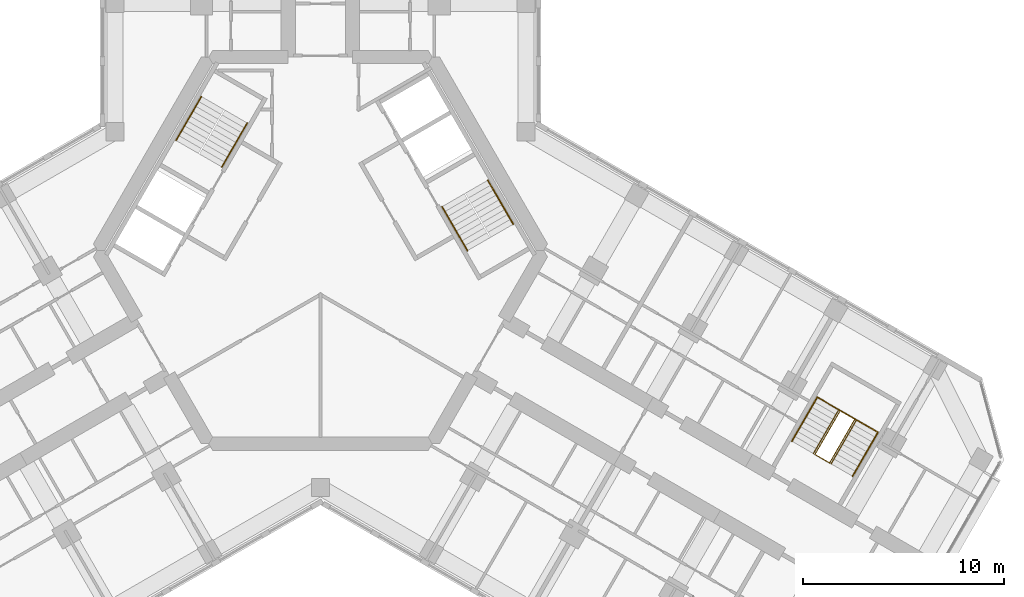
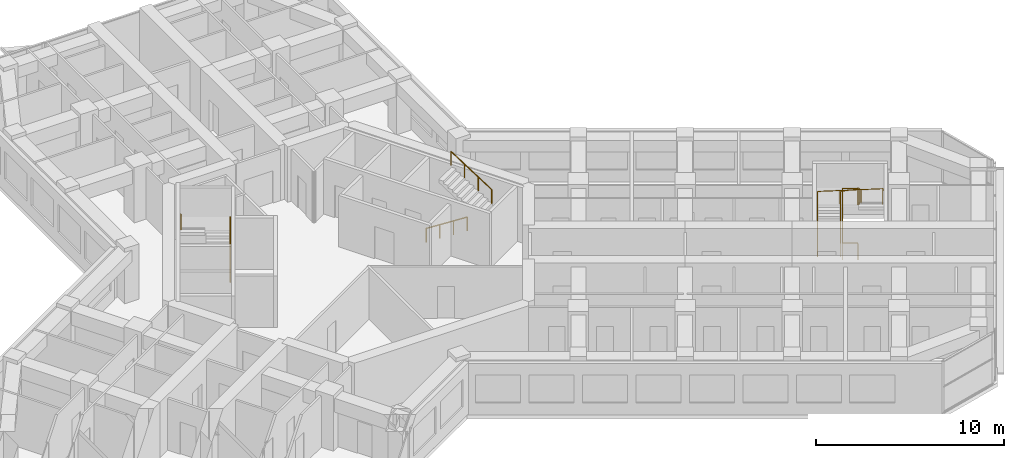
# One storey, part 16 of 16: 7 railings.
"""IFC4 building model written with IfcOpenShell, lengths in metres."""

from ifc_helpers import new_model, si_unit, direction, frame, origin, origin_2d, place, context, subcontext, project, spatial, circle, extrude, material, type_object, element, save


model = new_model("IFC4")

# Units and contexts
model_context = context("Model", 3, precision=1e-05, world=origin(), true_north=direction((0.0, 1.0)))
body_context = subcontext(model_context, "Body", "Model", "MODEL_VIEW")
ifc_project = project(units=[si_unit("LENGTHUNIT", "METRE"), si_unit("AREAUNIT", "SQUARE_METRE"), si_unit("VOLUMEUNIT", "CUBIC_METRE"), si_unit("PLANEANGLEUNIT", "RADIAN"), si_unit("MASSUNIT", "GRAM", prefix="KILO")], contexts=[model_context])

# Site, building, storey
site_placement = place(None, origin())
site = spatial("IfcSite", under=ifc_project, at=site_placement, CompositionType="ELEMENT")
building_placement = place(site_placement, origin())
building = spatial("IfcBuilding", under=site, at=building_placement, Name="Kosmar Iwan School Tower", CompositionType="ELEMENT")
storey_placement = place(building_placement, frame((0.0, 0.0, 201.0)))
storey = spatial("IfcBuildingStorey", under=building, at=storey_placement, Name="L50", CompositionType="ELEMENT", Elevation=201.0)

# Railings
ifc_material_1 = material(Name="Black steel", Category="steel")
railing_type_1 = type_object("IfcRailingType", Name="Stair handrail 900", PredefinedType="HANDRAIL", material=ifc_material_1)
railing_1_placement = place(storey_placement, frame((-4.89453125, 4.142333984375, 0.179931640625)))
element("IfcRailing", 1, at=railing_1_placement, inside=storey, type_object=railing_type_1, Name="Handrail ST2 flight 1", PredefinedType="HANDRAIL", context=body_context, shape_type="SweptSolid", body=[
    extrude(circle(Radius=0.02392578125, at=origin_2d()), frame((0.0, 0.0, 0.8759765625), z_axis=(0.420584145978, 0.728463801763, 0.540785970299), x_axis=(-0.866022637375, 0.500004791531, 0.0)), (0.0, 0.0, 1.0), 2.995849609375),
    extrude(circle(Radius=0.02099609375, at=origin_2d()), origin(), (0.0, 0.0, 1.0), 0.851806640625),
    extrude(circle(Radius=0.02099609375, at=origin_2d()), frame((0.419921875, 0.7275390625, 0.5400390625)), (0.0, 0.0, 1.0), 0.851806640625),
    extrude(circle(Radius=0.02099609375, at=origin_2d()), frame((0.840087890625, 1.454833984375, 1.080078125)), (0.0, 0.0, 1.0), 0.851806640625),
    extrude(circle(Radius=0.02099609375, at=origin_2d()), frame((1.260009765625, 2.182373046875, 1.6201171875)), (0.0, 0.0, 1.0), 0.851806640625),
])
railing_2_placement = place(storey_placement, frame((-5.912353515625, 7.6396484375, 1.97998046875)))
element("IfcRailing", 2, at=railing_2_placement, inside=storey, type_object=railing_type_1, Name="Handrail ST2 flight 2", PredefinedType="HANDRAIL", context=body_context, shape_type="SweptSolid", body=[
    extrude(circle(Radius=0.02392578125, at=origin_2d()), frame((0.0, 0.0, 0.8759765625), z_axis=(-0.420584145978, -0.728463801763, 0.540785970299), x_axis=(0.866022637375, -0.500004791531, 0.0)), (0.0, 0.0, 1.0), 2.995849609375),
    extrude(circle(Radius=0.02099609375, at=origin_2d()), origin(), (0.0, 0.0, 1.0), 0.851806640625),
    extrude(circle(Radius=0.02099609375, at=origin_2d()), frame((-0.419921875, -0.7275390625, 0.5400390625)), (0.0, 0.0, 1.0), 0.851806640625),
    extrude(circle(Radius=0.02099609375, at=origin_2d()), frame((-0.840087890625, -1.454833984375, 1.080078125)), (0.0, 0.0, 1.0), 0.851806640625),
    extrude(circle(Radius=0.02099609375, at=origin_2d()), frame((-1.260009765625, -2.182373046875, 1.6201171875)), (0.0, 0.0, 1.0), 0.851806640625),
])
railing_3_placement = place(storey_placement, frame((6.03466796875, 2.167724609375, 0.179931640625)))
element("IfcRailing", 3, at=railing_3_placement, inside=storey, type_object=railing_type_1, Name="Handrail ST1 flight 1", PredefinedType="HANDRAIL", context=body_context, shape_type="SweptSolid", body=[
    extrude(circle(Radius=0.02392578125, at=origin_2d()), frame((0.0, 0.0, 0.8759765625), z_axis=(0.420584145978, -0.728463801763, 0.540785970299), x_axis=(0.866022637375, 0.500004791531, 0.0)), (0.0, 0.0, 1.0), 2.995849609375),
    extrude(circle(Radius=0.02099609375, at=origin_2d()), origin(), (0.0, 0.0, 1.0), 0.851806640625),
    extrude(circle(Radius=0.02099609375, at=origin_2d()), frame((0.419921875, -0.7275390625, 0.5400390625)), (0.0, 0.0, 1.0), 0.851806640625),
    extrude(circle(Radius=0.02099609375, at=origin_2d()), frame((0.840087890625, -1.454833984375, 1.080078125)), (0.0, 0.0, 1.0), 0.851806640625),
    extrude(circle(Radius=0.02099609375, at=origin_2d()), frame((1.260009765625, -2.182373046875, 1.6201171875)), (0.0, 0.0, 1.0), 0.851806640625),
])
railing_4_placement = place(storey_placement, frame((9.572265625, 1.30029296875, 1.97998046875)))
element("IfcRailing", 4, at=railing_4_placement, inside=storey, type_object=railing_type_1, Name="Handrail ST1 flight 2", PredefinedType="HANDRAIL", context=body_context, shape_type="SweptSolid", body=[
    extrude(circle(Radius=0.02392578125, at=origin_2d()), frame((0.0, 0.0, 0.8759765625), z_axis=(-0.420584145978, 0.728463801763, 0.540785970299), x_axis=(-0.866022637375, -0.500004791531, 0.0)), (0.0, 0.0, 1.0), 2.995849609375),
    extrude(circle(Radius=0.02099609375, at=origin_2d()), origin(), (0.0, 0.0, 1.0), 0.851806640625),
    extrude(circle(Radius=0.02099609375, at=origin_2d()), frame((-0.419921875, 0.7275390625, 0.5400390625)), (0.0, 0.0, 1.0), 0.851806640625),
    extrude(circle(Radius=0.02099609375, at=origin_2d()), frame((-0.840087890625, 1.454833984375, 1.080078125)), (0.0, 0.0, 1.0), 0.851806640625),
    extrude(circle(Radius=0.02099609375, at=origin_2d()), frame((-1.260009765625, 2.182373046875, 1.6201171875)), (0.0, 0.0, 1.0), 0.851806640625),
])
railing_5_placement = place(storey_placement, frame((23.4091796875, -9.473876953125, 0.179931640625)))
element("IfcRailing", 5, at=railing_5_placement, inside=storey, type_object=railing_type_1, Name="Handrail stair WS3 L50 wall side", PredefinedType="HANDRAIL", context=body_context, shape_type="SweptSolid", body=[
    extrude(circle(Radius=0.02392578125, at=origin_2d()), frame((0.0, 0.0, 0.8759765625), z_axis=(0.420584145978, 0.728463801763, 0.540785970299), x_axis=(-0.866022637375, 0.500004791531, 0.0)), (0.0, 0.0, 1.0), 2.995849609375),
    extrude(circle(Radius=0.02392578125, at=origin_2d()), frame((1.260009765625, 2.182373046875, 2.49609375), z_axis=(0.864882007433, -0.499312601618, 0.051633701051), x_axis=(0.499979528911, 0.866037222451, 0.0)), (0.0, 0.0, 1.0), 3.48486328125),
    extrude(circle(Radius=0.02392578125, at=origin_2d()), frame((4.27392578125, 0.4423828125, 2.67578125), z_axis=(-0.420584145978, -0.728463801763, 0.540785970299), x_axis=(0.866022637375, -0.500004791531, 0.0)), (0.0, 0.0, 1.0), 2.995849609375),
    extrude(circle(Radius=0.02099609375, at=origin_2d()), origin(), (0.0, 0.0, 1.0), 0.851806640625),
    extrude(circle(Radius=0.02099609375, at=origin_2d()), frame((0.419921875, 0.7275390625, 0.5400390625)), (0.0, 0.0, 1.0), 0.851806640625),
    extrude(circle(Radius=0.02099609375, at=origin_2d()), frame((0.840087890625, 1.454833984375, 1.080078125)), (0.0, 0.0, 1.0), 0.851806640625),
    extrude(circle(Radius=0.02099609375, at=origin_2d()), frame((1.260009765625, 2.182373046875, 1.6201171875)), (0.0, 0.0, 1.0), 0.851806640625),
    extrude(circle(Radius=0.02099609375, at=origin_2d()), frame((2.2646484375, 1.602294921875, 1.68017578125)), (0.0, 0.0, 1.0), 0.851806640625),
    extrude(circle(Radius=0.02099609375, at=origin_2d()), frame((3.269287109375, 1.0224609375, 1.739990234375)), (0.0, 0.0, 1.0), 0.851806640625),
    extrude(circle(Radius=0.02099609375, at=origin_2d()), frame((4.27392578125, 0.4423828125, 1.800048828125)), (0.0, 0.0, 1.0), 0.851806640625),
    extrude(circle(Radius=0.02099609375, at=origin_2d()), frame((3.85400390625, -0.28515625, 2.340087890625)), (0.0, 0.0, 1.0), 0.851806640625),
    extrude(circle(Radius=0.02099609375, at=origin_2d()), frame((3.433837890625, -1.012451171875, 2.880126953125)), (0.0, 0.0, 1.0), 0.851806640625),
    extrude(circle(Radius=0.02099609375, at=origin_2d()), frame((3.013916015625, -1.739990234375, 3.420166015625)), (0.0, 0.0, 1.0), 0.851806640625),
])
railing_6_placement = place(storey_placement, frame((24.474609375, -10.0888671875, 0.179931640625)))
element("IfcRailing", 6, at=railing_6_placement, inside=storey, type_object=railing_type_1, Name="Handrail stair WS3 L50 well side", PredefinedType="HANDRAIL", context=body_context, shape_type="SweptSolid", body=[
    extrude(circle(Radius=0.02392578125, at=origin_2d()), frame((0.0, 0.0, 0.8759765625), z_axis=(0.420584145978, 0.728463801763, 0.540785970299), x_axis=(-0.866022637375, 0.500004791531, 0.0)), (0.0, 0.0, 1.0), 2.995849609375),
    extrude(circle(Radius=0.02392578125, at=origin_2d()), frame((1.260009765625, 2.182373046875, 2.49609375), z_axis=(0.852841519511, -0.492422867401, 0.173726976197), x_axis=(0.500026340207, 0.866010195725, 0.0)), (0.0, 0.0, 1.0), 1.03564453125),
    extrude(circle(Radius=0.02392578125, at=origin_2d()), frame((2.143310546875, 1.67236328125, 2.67578125), z_axis=(-0.420584145978, -0.728463801763, 0.540785970299), x_axis=(0.866022637375, -0.500004791531, 0.0)), (0.0, 0.0, 1.0), 2.995849609375),
    extrude(circle(Radius=0.02099609375, at=origin_2d()), origin(), (0.0, 0.0, 1.0), 0.851806640625),
    extrude(circle(Radius=0.02099609375, at=origin_2d()), frame((0.419921875, 0.7275390625, 0.5400390625)), (0.0, 0.0, 1.0), 0.851806640625),
    extrude(circle(Radius=0.02099609375, at=origin_2d()), frame((0.840087890625, 1.454833984375, 1.080078125)), (0.0, 0.0, 1.0), 0.851806640625),
    extrude(circle(Radius=0.02099609375, at=origin_2d()), frame((1.260009765625, 2.182373046875, 1.6201171875)), (0.0, 0.0, 1.0), 0.851806640625),
    extrude(circle(Radius=0.02099609375, at=origin_2d()), frame((2.143310546875, 1.67236328125, 1.800048828125)), (0.0, 0.0, 1.0), 0.851806640625),
    extrude(circle(Radius=0.02099609375, at=origin_2d()), frame((1.723388671875, 0.94482421875, 2.340087890625)), (0.0, 0.0, 1.0), 0.851806640625),
    extrude(circle(Radius=0.02099609375, at=origin_2d()), frame((1.30322265625, 0.217529296875, 2.880126953125)), (0.0, 0.0, 1.0), 0.851806640625),
    extrude(circle(Radius=0.02099609375, at=origin_2d()), frame((0.88330078125, -0.510009765625, 3.420166015625)), (0.0, 0.0, 1.0), 0.851806640625),
])
ifc_material_2 = material(Name="Black steel", Category="steel")
railing_type_2 = type_object("IfcRailingType", Name="Stair well guard 1100", PredefinedType="GUARDRAIL", material=ifc_material_2)
railing_7_placement = place(storey_placement, frame((25.280029296875, -10.553955078125, 0.0)))
element("IfcRailing", 7, at=railing_7_placement, inside=storey, type_object=railing_type_2, Name="Stair WS3 L50 well guard", PredefinedType="GUARDRAIL", context=body_context, shape_type="SweptSolid", body=[
    extrude(circle(Radius=0.02392578125, at=origin_2d()), frame((0.0, 0.0, 1.076171875), z_axis=(-0.865962960534, 0.500108139288, 0.0), x_axis=(-0.500108139288, -0.865962960534, 0.0)), (0.0, 0.0, 1.0), 0.840087890625),
    extrude(circle(Radius=0.02392578125, at=origin_2d()), frame((-0.7275390625, 0.420166015625, 1.076171875), z_axis=(0.40686665399, 0.704704712268, 0.58124933925), x_axis=(-0.866022637375, 0.500004791531, 0.0)), (0.0, 0.0, 1.0), 3.096923828125),
    extrude(circle(Radius=0.02392578125, at=origin_2d()), frame((0.532470703125, 2.6025390625, 2.8759765625), z_axis=(0.865890253765, -0.500234013672, 0.0), x_axis=(0.500234013672, 0.865890253765, 0.0)), (0.0, 0.0, 1.0), 0.83984375),
    extrude(circle(Radius=0.02392578125, at=origin_2d()), frame((1.259765625, 2.182373046875, 2.8759765625), z_axis=(-0.406800866334, -0.70472731476, 0.58126798207), x_axis=(0.866064587494, -0.499932125682, 0.0)), (0.0, 0.0, 1.0), 3.0966796875),
    extrude(circle(Radius=0.02099609375, at=origin_2d()), origin(), (0.0, 0.0, 1.0), 1.052001953125),
    extrude(circle(Radius=0.02099609375, at=origin_2d()), frame((-0.7275390625, 0.420166015625, 0.0)), (0.0, 0.0, 1.0), 1.052001953125),
    extrude(circle(Radius=0.02099609375, at=origin_2d()), frame((-0.3076171875, 1.147705078125, 0.60009765625)), (0.0, 0.0, 1.0), 1.052001953125),
    extrude(circle(Radius=0.02099609375, at=origin_2d()), frame((0.112548828125, 1.875, 1.199951171875)), (0.0, 0.0, 1.0), 1.052001953125),
    extrude(circle(Radius=0.02099609375, at=origin_2d()), frame((0.532470703125, 2.6025390625, 1.800048828125)), (0.0, 0.0, 1.0), 1.052001953125),
    extrude(circle(Radius=0.02099609375, at=origin_2d()), frame((1.259765625, 2.182373046875, 1.800048828125)), (0.0, 0.0, 1.0), 1.052001953125),
    extrude(circle(Radius=0.02099609375, at=origin_2d()), frame((0.83984375, 1.454833984375, 2.400146484375)), (0.0, 0.0, 1.0), 1.052001953125),
    extrude(circle(Radius=0.02099609375, at=origin_2d()), frame((0.419921875, 0.7275390625, 3.0)), (0.0, 0.0, 1.0), 1.052001953125),
    extrude(circle(Radius=0.02099609375, at=origin_2d()), frame((0.0, 0.0, 3.60009765625)), (0.0, 0.0, 1.0), 1.052001953125),
])

save(model, "model.ifc")
